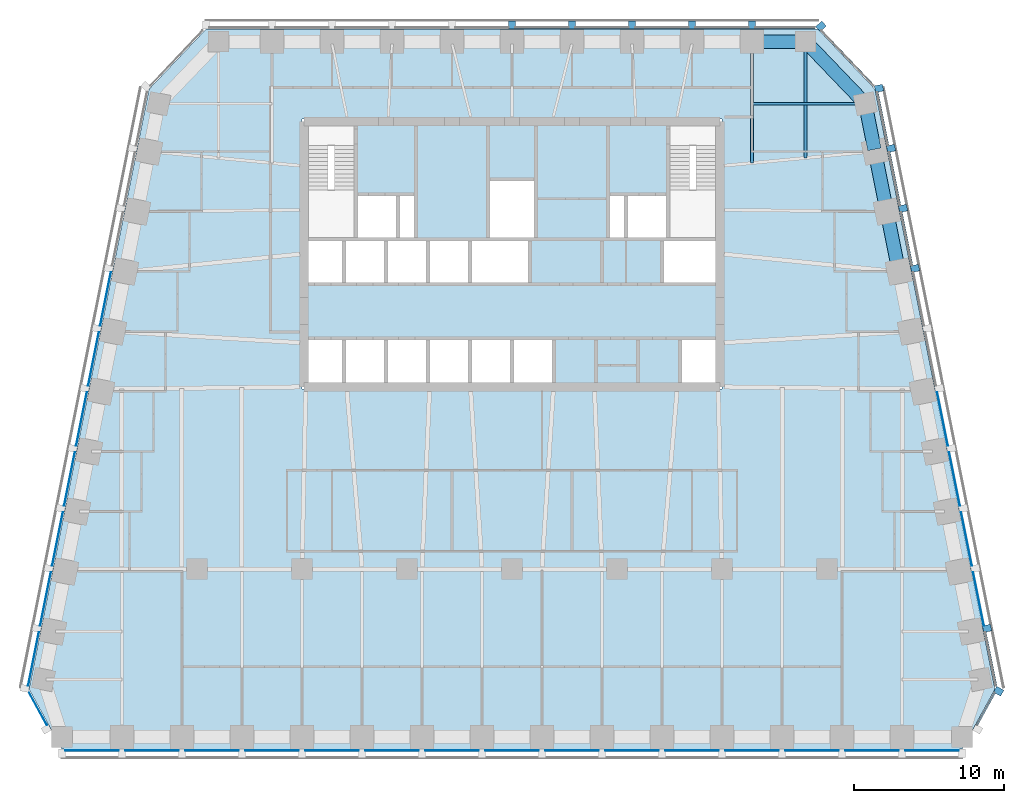
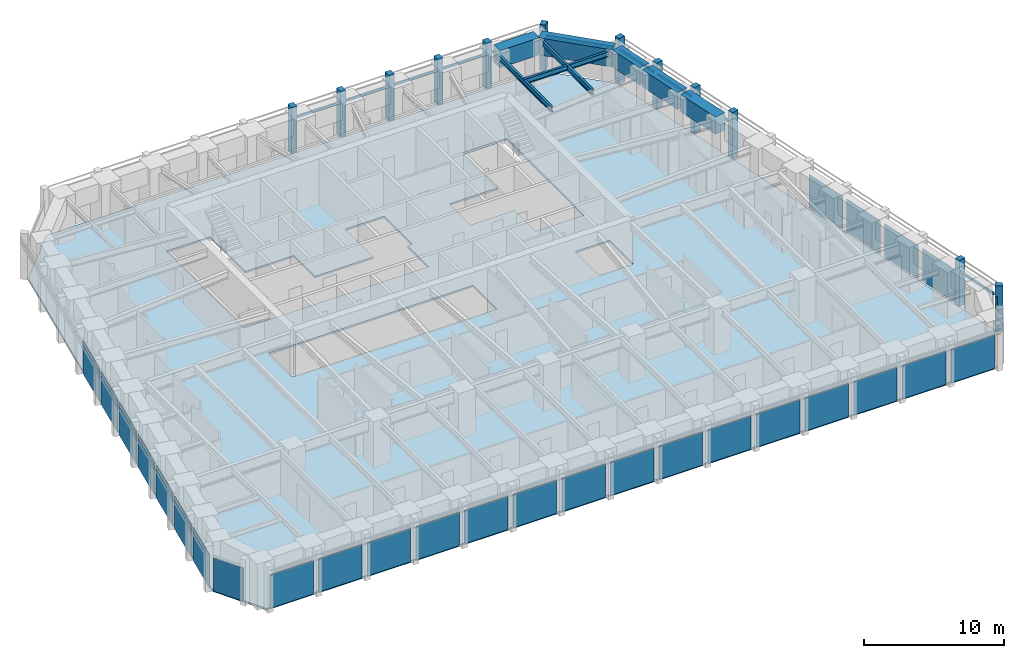
# One storey, part 4 of 11: 27 plates, 23 members, 8 beams, 1 slab, 7 elements without a shape of their own.
"""IFC4 building model written with IfcOpenShell, lengths in metres."""

from ifc_helpers import new_model, si_unit, direction, frame, origin, origin_2d, place, context, subcontext, project, spatial, polyline, rectangle, i_section, outline, extrude, material, layer, layer_set, material_profile, profile_set, type_object, element, aggregate, save


model = new_model("IFC4")

# Units and contexts
model_context = context("Model", 3, precision=1e-05, world=origin(), true_north=direction((0.0, 1.0)))
body_context = subcontext(model_context, "Body", "Model", "MODEL_VIEW")
ifc_project = project(units=[si_unit("LENGTHUNIT", "METRE"), si_unit("AREAUNIT", "SQUARE_METRE"), si_unit("VOLUMEUNIT", "CUBIC_METRE"), si_unit("PLANEANGLEUNIT", "RADIAN"), si_unit("MASSUNIT", "GRAM", prefix="KILO")], contexts=[model_context])

# Site, building, storey
site_placement = place(None, origin())
site = spatial("IfcSite", under=ifc_project, at=site_placement, CompositionType="ELEMENT")
building_placement = place(site_placement, origin())
building = spatial("IfcBuilding", under=site, at=building_placement, Name="Isbrekke Arena Tower", CompositionType="ELEMENT")
storey_placement = place(building_placement, frame((0.0, 0.0, 206.0)))
storey = spatial("IfcBuildingStorey", under=building, at=storey_placement, Name="L47", CompositionType="ELEMENT", Elevation=206.0)

# Beams
ifc_material_1 = material(Name="Steel S355", Category="steel")
ifc_material_profile_1 = material_profile(ifc_material_1, i_section(OverallWidth=0.18994140625, OverallDepth=0.449951171875, WebThickness=0.009521484375, FlangeThickness=0.0146484375, FilletRadius=0.02099609375, at=origin_2d()), Name="IPE 450")
ifc_profile_set_1 = profile_set([ifc_material_profile_1], Name="Steel S355")
beam_type_1 = type_object("IfcBeamType", Name="B2 IPE 450", PredefinedType="BEAM", material=ifc_profile_set_1)
beam_1_placement = place(storey_placement, frame((23.40283203125, 25.029296875, 3.625), z_axis=(-1.0, 0.0, 0.0), x_axis=(0.0, -1.0, 0.0)))
element("IfcBeam", 1, at=beam_1_placement, inside=storey, type_object=beam_type_1, Name="B2 beam E-E11 L47", PredefinedType="BEAM", context=body_context, shape_type="SweptSolid", body=[
    extrude(i_section(OverallWidth=0.18994140625, OverallDepth=0.449951171875, WebThickness=0.009521484375, FlangeThickness=0.0146484375, FilletRadius=0.02099609375, at=origin_2d()), origin(), (0.0, 0.0, 1.0), 7.40283203125),
])
ifc_material_2 = material(Name="Steel S355", Category="steel")
ifc_material_profile_2 = material_profile(ifc_material_2, i_section(OverallWidth=0.18994140625, OverallDepth=0.449951171875, WebThickness=0.009521484375, FlangeThickness=0.0146484375, FilletRadius=0.02099609375, at=origin_2d()), Name="IPE 450")
ifc_profile_set_2 = profile_set([ifc_material_profile_2], Name="Steel S355")
beam_type_2 = type_object("IfcBeamType", Name="B3 IPE 450", PredefinedType="BEAM", material=ifc_profile_set_2)
beam_2_placement = place(storey_placement, frame((19.574951171875, 29.02490234375, 3.625), z_axis=(0.0, -1.0, 0.0), x_axis=(1.0, 0.0, 0.0)))
element("IfcBeam", 2, at=beam_2_placement, inside=storey, type_object=beam_type_2, Name="B3 beam N-N01 L47", PredefinedType="BEAM", context=body_context, shape_type="SweptSolid", body=[
    extrude(i_section(OverallWidth=0.18994140625, OverallDepth=0.449951171875, WebThickness=0.009521484375, FlangeThickness=0.0146484375, FilletRadius=0.02099609375, at=origin_2d()), origin(), (0.0, 0.0, 1.0), 7.6103515625),
])
beam_3_placement = place(storey_placement, frame((16.0, 29.02490234375, 3.625), z_axis=(0.0, -1.0, 0.0), x_axis=(1.0, 0.0, 0.0)))
element("IfcBeam", 3, at=beam_3_placement, inside=storey, type_object=beam_type_2, Name="B3 beam N-N02 L47", PredefinedType="BEAM", context=body_context, shape_type="SweptSolid", body=[
    extrude(i_section(OverallWidth=0.18994140625, OverallDepth=0.449951171875, WebThickness=0.009521484375, FlangeThickness=0.0146484375, FilletRadius=0.02099609375, at=origin_2d()), origin(), (0.0, 0.0, 1.0), 7.949462890625),
])

# Curtain wall, member
ifc_material_3 = material(Name="Glazed aluminium curtain wall", Category="aluminium")
curtain_wall_type = type_object("IfcCurtainWallType", Name="CWH TOWER CURTAIN WALL HIGH ZONE", PredefinedType="USERDEFINED", material=ifc_material_3)
curtain_wall_1_placement = place(storey_placement, origin())
curtain_wall_1 = element("IfcCurtainWall", 4, at=curtain_wall_1_placement, inside=storey, type_object=curtain_wall_type, Name="CWH curtain wall L47-SE", ObjectType="TOWER CURTAIN WALL HIGH ZONE", PredefinedType="USERDEFINED")
ifc_material_4 = material(Name="Aluminium mullion, pale brick slip cladding", Category="masonry")
ifc_material_profile_3 = material_profile(ifc_material_4, rectangle(XDim=0.449951171875, YDim=0.550048828125, at=origin_2d()), Name="PIER 450X550")
ifc_profile_set_3 = profile_set([ifc_material_profile_3], Name="Aluminium mullion, pale brick slip cladding")
member_type_1 = type_object("IfcMemberType", Name="CWH-M PIER MULLION 450 x 550", PredefinedType="MULLION", material=ifc_profile_set_3)
member_1_placement = place(storey_placement, frame((32.44091796875, -14.132568359375, 0.0), z_axis=(0.0, 0.0, 1.0), x_axis=(0.481918749773, 0.876215908676, 0.0)))
member_1 = element("IfcMember", 5, at=member_1_placement, type_object=member_type_1, Name="CWH-M mullion 2", PredefinedType="MULLION", context=body_context, shape_type="SweptSolid", body=[
    extrude(rectangle(XDim=0.449951171875, YDim=0.550048828125, at=origin_2d()), origin(), (0.0, 0.0, 1.0), 4.0),
])

# Curtain wall, members
curtain_wall_2_placement = place(storey_placement, origin())
curtain_wall_2 = element("IfcCurtainWall", 6, at=curtain_wall_2_placement, inside=storey, type_object=curtain_wall_type, Name="CWH curtain wall L47-E", ObjectType="TOWER CURTAIN WALL HIGH ZONE", PredefinedType="USERDEFINED")
member_2_placement = place(storey_placement, frame((31.669677734375, -9.946044921875, 0.0), z_axis=(0.0, 0.0, 1.0), x_axis=(-0.196116135138, 0.980580675691, 0.0)))
member_2 = element("IfcMember", 7, at=member_2_placement, type_object=member_type_1, Name="CWH-M mullion 1", PredefinedType="MULLION", context=body_context, shape_type="SweptSolid", body=[
    extrude(rectangle(XDim=0.449951171875, YDim=0.550048828125, at=origin_2d()), origin(), (0.0, 0.0, 1.0), 4.0),
])
member_3_placement = place(storey_placement, frame((26.86962890625, 14.053955078125, 0.0), z_axis=(0.0, 0.0, 1.0), x_axis=(-0.196116135138, 0.980580675691, 0.0)))
member_3 = element("IfcMember", 8, at=member_3_placement, type_object=member_type_1, Name="CWH-M mullion 7", PredefinedType="MULLION", context=body_context, shape_type="SweptSolid", body=[
    extrude(rectangle(XDim=0.449951171875, YDim=0.550048828125, at=origin_2d()), origin(), (0.0, 0.0, 1.0), 4.0),
])
member_4_placement = place(storey_placement, frame((26.069580078125, 18.053955078125, 0.0), z_axis=(0.0, 0.0, 1.0), x_axis=(-0.196116135138, 0.980580675691, 0.0)))
member_4 = element("IfcMember", 9, at=member_4_placement, type_object=member_type_1, Name="CWH-M mullion 8", PredefinedType="MULLION", context=body_context, shape_type="SweptSolid", body=[
    extrude(rectangle(XDim=0.449951171875, YDim=0.550048828125, at=origin_2d()), origin(), (0.0, 0.0, 1.0), 4.0),
])
member_5_placement = place(storey_placement, frame((25.269775390625, 22.053955078125, 0.0), z_axis=(0.0, 0.0, 1.0), x_axis=(-0.196116135138, 0.980580675691, 0.0)))
member_5 = element("IfcMember", 10, at=member_5_placement, type_object=member_type_1, Name="CWH-M mullion 9", PredefinedType="MULLION", context=body_context, shape_type="SweptSolid", body=[
    extrude(rectangle(XDim=0.449951171875, YDim=0.550048828125, at=origin_2d()), origin(), (0.0, 0.0, 1.0), 4.0),
])
member_6_placement = place(storey_placement, frame((24.4697265625, 26.053955078125, 0.0), z_axis=(0.0, 0.0, 1.0), x_axis=(-0.196116135138, 0.980580675691, 0.0)))
member_6 = element("IfcMember", 11, at=member_6_placement, type_object=member_type_1, Name="CWH-M mullion 10", PredefinedType="MULLION", context=body_context, shape_type="SweptSolid", body=[
    extrude(rectangle(XDim=0.449951171875, YDim=0.550048828125, at=origin_2d()), origin(), (0.0, 0.0, 1.0), 4.0),
])

# Curtain wall, member
curtain_wall_3_placement = place(storey_placement, origin())
curtain_wall_3 = element("IfcCurtainWall", 12, at=curtain_wall_3_placement, inside=storey, type_object=curtain_wall_type, Name="CWH curtain wall L47-EN", ObjectType="TOWER CURTAIN WALL HIGH ZONE", PredefinedType="USERDEFINED")
member_7_placement = place(storey_placement, frame((20.599365234375, 30.189453125, 0.0), z_axis=(0.0, 0.0, 1.0), x_axis=(-0.68874946192, 0.72499943359, 0.0)))
member_7 = element("IfcMember", 13, at=member_7_placement, type_object=member_type_1, Name="CWH-M mullion 1", PredefinedType="MULLION", context=body_context, shape_type="SweptSolid", body=[
    extrude(rectangle(XDim=0.449951171875, YDim=0.550048828125, at=origin_2d()), origin(), (0.0, 0.0, 1.0), 4.0),
])

# Curtain wall, members
curtain_wall_4_placement = place(storey_placement, origin())
curtain_wall_4 = element("IfcCurtainWall", 14, at=curtain_wall_4_placement, inside=storey, type_object=curtain_wall_type, Name="CWH curtain wall L47-N", ObjectType="TOWER CURTAIN WALL HIGH ZONE", PredefinedType="USERDEFINED")
member_8_placement = place(storey_placement, frame((16.0, 30.27490234375, 0.0), z_axis=(0.0, 0.0, 1.0), x_axis=(-1.0, 0.0, 0.0)))
member_8 = element("IfcMember", 15, at=member_8_placement, type_object=member_type_1, Name="CWH-M mullion 1", PredefinedType="MULLION", context=body_context, shape_type="SweptSolid", body=[
    extrude(rectangle(XDim=0.449951171875, YDim=0.550048828125, at=origin_2d()), origin(), (0.0, 0.0, 1.0), 4.0),
])
member_9_placement = place(storey_placement, frame((12.0, 30.27490234375, 0.0), z_axis=(0.0, 0.0, 1.0), x_axis=(-1.0, 0.0, 0.0)))
member_9 = element("IfcMember", 16, at=member_9_placement, type_object=member_type_1, Name="CWH-M mullion 2", PredefinedType="MULLION", context=body_context, shape_type="SweptSolid", body=[
    extrude(rectangle(XDim=0.449951171875, YDim=0.550048828125, at=origin_2d()), origin(), (0.0, 0.0, 1.0), 4.0),
])
member_10_placement = place(storey_placement, frame((8.0, 30.27490234375, 0.0), z_axis=(0.0, 0.0, 1.0), x_axis=(-1.0, 0.0, 0.0)))
member_10 = element("IfcMember", 17, at=member_10_placement, type_object=member_type_1, Name="CWH-M mullion 3", PredefinedType="MULLION", context=body_context, shape_type="SweptSolid", body=[
    extrude(rectangle(XDim=0.449951171875, YDim=0.550048828125, at=origin_2d()), origin(), (0.0, 0.0, 1.0), 4.0),
])
member_11_placement = place(storey_placement, frame((4.0, 30.27490234375, 0.0), z_axis=(0.0, 0.0, 1.0), x_axis=(-1.0, 0.0, 0.0)))
member_11 = element("IfcMember", 18, at=member_11_placement, type_object=member_type_1, Name="CWH-M mullion 4", PredefinedType="MULLION", context=body_context, shape_type="SweptSolid", body=[
    extrude(rectangle(XDim=0.449951171875, YDim=0.550048828125, at=origin_2d()), origin(), (0.0, 0.0, 1.0), 4.0),
])
member_12_placement = place(storey_placement, frame((0.0, 30.27490234375, 0.0), z_axis=(0.0, 0.0, 1.0), x_axis=(-1.0, 0.0, 0.0)))
member_12 = element("IfcMember", 19, at=member_12_placement, type_object=member_type_1, Name="CWH-M mullion 5", PredefinedType="MULLION", context=body_context, shape_type="SweptSolid", body=[
    extrude(rectangle(XDim=0.449951171875, YDim=0.550048828125, at=origin_2d()), origin(), (0.0, 0.0, 1.0), 4.0),
])

# Member
ifc_material_5 = material(Name="Aluminium transom", Category="aluminium")
ifc_material_profile_4 = material_profile(ifc_material_5, rectangle(XDim=0.1201171875, YDim=0.199951171875, at=origin_2d()), Name="TRANSOM 120X200")
ifc_profile_set_4 = profile_set([ifc_material_profile_4], Name="Aluminium transom")
member_type_2 = type_object("IfcMemberType", Name="CWH-T TRANSOM 120 x 200", PredefinedType="USERDEFINED", material=ifc_profile_set_4)
member_13_placement = place(storey_placement, frame((31.002197265625, -16.38525390625, 3.0), z_axis=(0.481937937062, 0.876205355393, 0.0), x_axis=(-0.876205355393, 0.481937937062, 0.0)))
member_13 = element("IfcMember", 20, at=member_13_placement, type_object=member_type_2, Name="CWH-T transom 1", ObjectType="TRANSOM", PredefinedType="USERDEFINED", context=body_context, shape_type="SweptSolid", body=[
    extrude(rectangle(XDim=0.1201171875, YDim=0.199951171875, at=origin_2d()), origin(), (0.0, 0.0, 1.0), 2.442138671875),
])

aggregate(curtain_wall_1, [member_1, member_13])

member_14_placement = place(storey_placement, frame((32.25390625, -13.759765625, 3.0), z_axis=(-0.196090262229, 0.980585849918, 0.0), x_axis=(-0.980585849918, -0.196090262229, 0.0)))
member_14 = element("IfcMember", 21, at=member_14_placement, type_object=member_type_2, Name="CWH-T transom 1", ObjectType="TRANSOM", PredefinedType="USERDEFINED", context=body_context, shape_type="SweptSolid", body=[
    extrude(rectangle(XDim=0.1201171875, YDim=0.199951171875, at=origin_2d()), origin(), (0.0, 0.0, 1.0), 3.62939453125),
])

member_15_placement = place(storey_placement, frame((26.654052734375, 14.240234375, 3.0), z_axis=(-0.196154943734, 0.980572913173, 0.0), x_axis=(-0.980572913173, -0.196154943734, 0.0)))
member_15 = element("IfcMember", 22, at=member_15_placement, type_object=member_type_2, Name="CWH-T transom 8", ObjectType="TRANSOM", PredefinedType="USERDEFINED", context=body_context, shape_type="SweptSolid", body=[
    extrude(rectangle(XDim=0.1201171875, YDim=0.199951171875, at=origin_2d()), origin(), (0.0, 0.0, 1.0), 3.62939453125),
])

member_16_placement = place(storey_placement, frame((25.85400390625, 18.240234375, 3.0), z_axis=(-0.196154943734, 0.980572913173, 0.0), x_axis=(-0.980572913173, -0.196154943734, 0.0)))
member_16 = element("IfcMember", 23, at=member_16_placement, type_object=member_type_2, Name="CWH-T transom 9", ObjectType="TRANSOM", PredefinedType="USERDEFINED", context=body_context, shape_type="SweptSolid", body=[
    extrude(rectangle(XDim=0.1201171875, YDim=0.199951171875, at=origin_2d()), origin(), (0.0, 0.0, 1.0), 3.62939453125),
])

member_17_placement = place(storey_placement, frame((25.053955078125, 22.240234375, 3.0), z_axis=(-0.196090262229, 0.980585849918, 0.0), x_axis=(-0.980585849918, -0.196090262229, 0.0)))
member_17 = element("IfcMember", 24, at=member_17_placement, type_object=member_type_2, Name="CWH-T transom 10", ObjectType="TRANSOM", PredefinedType="USERDEFINED", context=body_context, shape_type="SweptSolid", body=[
    extrude(rectangle(XDim=0.1201171875, YDim=0.199951171875, at=origin_2d()), origin(), (0.0, 0.0, 1.0), 3.62939453125),
])

member_18_placement = place(storey_placement, frame((24.117431640625, 26.23193359375, 3.0), z_axis=(-0.688734266994, 0.725013868466, 0.0), x_axis=(-0.725013868466, -0.688734266994, 0.0)))
member_18 = element("IfcMember", 25, at=member_18_placement, type_object=member_type_2, Name="CWH-T transom 1", ObjectType="TRANSOM", PredefinedType="USERDEFINED", context=body_context, shape_type="SweptSolid", body=[
    extrude(rectangle(XDim=0.1201171875, YDim=0.199951171875, at=origin_2d()), origin(), (0.0, 0.0, 1.0), 5.067138671875),
])

aggregate(curtain_wall_3, [member_7, member_18])

member_19_placement = place(storey_placement, frame((20.175048828125, 30.10009765625, 3.0), z_axis=(-1.0, 0.0, 0.0), x_axis=(0.0, -1.0, 0.0)))
member_19 = element("IfcMember", 26, at=member_19_placement, type_object=member_type_2, Name="CWH-T transom 1", ObjectType="TRANSOM", PredefinedType="USERDEFINED", context=body_context, shape_type="SweptSolid", body=[
    extrude(rectangle(XDim=0.1201171875, YDim=0.199951171875, at=origin_2d()), origin(), (0.0, 0.0, 1.0), 3.949951171875),
])

member_20_placement = place(storey_placement, frame((15.77490234375, 30.10009765625, 3.0), z_axis=(-1.0, 0.0, 0.0), x_axis=(0.0, -1.0, 0.0)))
member_20 = element("IfcMember", 27, at=member_20_placement, type_object=member_type_2, Name="CWH-T transom 2", ObjectType="TRANSOM", PredefinedType="USERDEFINED", context=body_context, shape_type="SweptSolid", body=[
    extrude(rectangle(XDim=0.1201171875, YDim=0.199951171875, at=origin_2d()), origin(), (0.0, 0.0, 1.0), 3.5498046875),
])

member_21_placement = place(storey_placement, frame((11.77490234375, 30.10009765625, 3.0), z_axis=(-1.0, 0.0, 0.0), x_axis=(0.0, -1.0, 0.0)))
member_21 = element("IfcMember", 28, at=member_21_placement, type_object=member_type_2, Name="CWH-T transom 3", ObjectType="TRANSOM", PredefinedType="USERDEFINED", context=body_context, shape_type="SweptSolid", body=[
    extrude(rectangle(XDim=0.1201171875, YDim=0.199951171875, at=origin_2d()), origin(), (0.0, 0.0, 1.0), 3.5498046875),
])

member_22_placement = place(storey_placement, frame((7.77490234375, 30.10009765625, 3.0), z_axis=(-1.0, 0.0, 0.0), x_axis=(0.0, -1.0, 0.0)))
member_22 = element("IfcMember", 29, at=member_22_placement, type_object=member_type_2, Name="CWH-T transom 4", ObjectType="TRANSOM", PredefinedType="USERDEFINED", context=body_context, shape_type="SweptSolid", body=[
    extrude(rectangle(XDim=0.1201171875, YDim=0.199951171875, at=origin_2d()), origin(), (0.0, 0.0, 1.0), 3.5498046875),
])

member_23_placement = place(storey_placement, frame((3.77490234375, 30.10009765625, 3.0), z_axis=(-1.0, 0.0, 0.0), x_axis=(0.0, -1.0, 0.0)))
member_23 = element("IfcMember", 30, at=member_23_placement, type_object=member_type_2, Name="CWH-T transom 5", ObjectType="TRANSOM", PredefinedType="USERDEFINED", context=body_context, shape_type="SweptSolid", body=[
    extrude(rectangle(XDim=0.1201171875, YDim=0.199951171875, at=origin_2d()), origin(), (0.0, 0.0, 1.0), 3.5498046875),
])

aggregate(curtain_wall_4, [member_8, member_9, member_10, member_11, member_12, member_19, member_20, member_21, member_22, member_23])

# Beams
ifc_material_6 = material(Name="Concrete B65 (C65/80)", Category="concrete")
ifc_material_profile_5 = material_profile(ifc_material_6, rectangle(XDim=0.89990234375, YDim=1.5, at=origin_2d()), Name="RC 900x1500")
ifc_profile_set_5 = profile_set([ifc_material_profile_5], Name="Concrete B65 (C65/80)")
beam_type_3 = type_object("IfcBeamType", Name="SB3 RC 900 x 1500", PredefinedType="SPANDREL", material=ifc_profile_set_5)
for number, where, z_axis, x_axis, name in (
    (31, (25.76171875, 13.9853515625, 3.25), (-0.196128558387, 0.980578190959, 0.0), (-0.980578190959, -0.196128558387, 0.0), "SB3 spandrel E08-E09 L47"),
    (32, (24.961669921875, 17.9853515625, 3.25), (-0.196128558387, 0.980578190959, 0.0), (-0.980578190959, -0.196128558387, 0.0), "SB3 spandrel E09-E10 L47"),
):
    element("IfcBeam", number, at=place(storey_placement, frame(where, z_axis=z_axis, x_axis=x_axis)), inside=storey, type_object=beam_type_3, Name=name, PredefinedType="SPANDREL", context=body_context, shape_type="SweptSolid", body=[
        extrude(rectangle(XDim=0.89990234375, YDim=1.5, at=origin_2d()), origin(), (0.0, 0.0, 1.0), 3.779296875),
    ])
beam_4_placement = place(storey_placement, frame((24.16162109375, 21.9853515625, 3.25), z_axis=(-0.196116135138, 0.980580675691, 0.0), x_axis=(-0.980580675691, -0.196116135138, 0.0)))
element("IfcBeam", 33, at=beam_4_placement, inside=storey, type_object=beam_type_3, Name="SB3 spandrel E10-E11 L47", PredefinedType="SPANDREL", context=body_context, shape_type="SweptSolid", body=[
    extrude(rectangle(XDim=0.89990234375, YDim=1.5, at=origin_2d()), origin(), (0.0, 0.0, 1.0), 2.9541015625),
])
beam_5_placement = place(storey_placement, frame((23.448974609375, 25.137451171875, 3.25), z_axis=(-0.692339547635, 0.721571861134, 0.0), x_axis=(-0.721571861134, -0.692339547635, 0.0)))
element("IfcBeam", 34, at=beam_5_placement, inside=storey, type_object=beam_type_3, Name="SB3 spandrel E11-N01 L47", PredefinedType="SPANDREL", context=body_context, shape_type="SweptSolid", body=[
    extrude(rectangle(XDim=0.89990234375, YDim=1.5, at=origin_2d()), origin(), (0.0, 0.0, 1.0), 5.4453125),
])
beam_6_placement = place(storey_placement, frame((19.425048828125, 29.175048828125, 3.25), z_axis=(-1.0, 0.0, 0.0), x_axis=(0.0, -1.0, 0.0)))
element("IfcBeam", 35, at=beam_6_placement, inside=storey, type_object=beam_type_3, Name="SB3 spandrel N01-N02 L47", PredefinedType="SPANDREL", context=body_context, shape_type="SweptSolid", body=[
    extrude(rectangle(XDim=0.89990234375, YDim=1.5, at=origin_2d()), origin(), (0.0, 0.0, 1.0), 3.275146484375),
])

# Curtain wall, plates
curtain_wall_5_placement = place(storey_placement, origin())
curtain_wall_5 = element("IfcCurtainWall", 36, at=curtain_wall_5_placement, inside=storey, type_object=curtain_wall_type, Name="CWH curtain wall L47-S", ObjectType="TOWER CURTAIN WALL HIGH ZONE", PredefinedType="USERDEFINED")
ifc_material_7 = material(Name="Triple-glazed clear glass unit", Category="glass")
ifc_layer_1 = layer(ifc_material_7, 0.031982421875)
ifc_layer_set_1 = layer_set([ifc_layer_1], Name="CWH-P VISION PANEL")
plate_type = type_object("IfcPlateType", Name="CWH-P VISION PANEL", PredefinedType="CURTAIN_PANEL", material=ifc_layer_set_1)
plate_1_placement = place(storey_placement, frame((-28.0, -18.10009765625, 0.02001953125), z_axis=(0.0, 0.0, 1.0), x_axis=(1.0, 0.0, 0.0)))
plate_1 = element("IfcPlate", 37, at=plate_1_placement, type_object=plate_type, Name="CWH-P panel 1", PredefinedType="CURTAIN_PANEL", context=body_context, shape_type="SweptSolid", body=[
    extrude(rectangle(XDim=3.550048828125, YDim=0.031982421875, at=origin_2d()), origin(), (0.0, 0.0, 1.0), 2.8798828125),
])
plate_2_placement = place(storey_placement, frame((-24.0, -18.10009765625, 0.02001953125), z_axis=(0.0, 0.0, 1.0), x_axis=(1.0, 0.0, 0.0)))
plate_2 = element("IfcPlate", 38, at=plate_2_placement, type_object=plate_type, Name="CWH-P panel 2", PredefinedType="CURTAIN_PANEL", context=body_context, shape_type="SweptSolid", body=[
    extrude(rectangle(XDim=3.550048828125, YDim=0.031982421875, at=origin_2d()), origin(), (0.0, 0.0, 1.0), 2.8798828125),
])
plate_3_placement = place(storey_placement, frame((-20.0, -18.10009765625, 0.02001953125), z_axis=(0.0, 0.0, 1.0), x_axis=(1.0, 0.0, 0.0)))
plate_3 = element("IfcPlate", 39, at=plate_3_placement, type_object=plate_type, Name="CWH-P panel 3", PredefinedType="CURTAIN_PANEL", context=body_context, shape_type="SweptSolid", body=[
    extrude(rectangle(XDim=3.550048828125, YDim=0.031982421875, at=origin_2d()), origin(), (0.0, 0.0, 1.0), 2.8798828125),
])
plate_4_placement = place(storey_placement, frame((-16.0, -18.10009765625, 0.02001953125), z_axis=(0.0, 0.0, 1.0), x_axis=(1.0, 0.0, 0.0)))
plate_4 = element("IfcPlate", 40, at=plate_4_placement, type_object=plate_type, Name="CWH-P panel 4", PredefinedType="CURTAIN_PANEL", context=body_context, shape_type="SweptSolid", body=[
    extrude(rectangle(XDim=3.550048828125, YDim=0.031982421875, at=origin_2d()), origin(), (0.0, 0.0, 1.0), 2.8798828125),
])
plate_5_placement = place(storey_placement, frame((-12.0, -18.10009765625, 0.02001953125), z_axis=(0.0, 0.0, 1.0), x_axis=(1.0, 0.0, 0.0)))
plate_5 = element("IfcPlate", 41, at=plate_5_placement, type_object=plate_type, Name="CWH-P panel 5", PredefinedType="CURTAIN_PANEL", context=body_context, shape_type="SweptSolid", body=[
    extrude(rectangle(XDim=3.550048828125, YDim=0.031982421875, at=origin_2d()), origin(), (0.0, 0.0, 1.0), 2.8798828125),
])
plate_6_placement = place(storey_placement, frame((-8.0, -18.10009765625, 0.02001953125), z_axis=(0.0, 0.0, 1.0), x_axis=(1.0, 0.0, 0.0)))
plate_6 = element("IfcPlate", 42, at=plate_6_placement, type_object=plate_type, Name="CWH-P panel 6", PredefinedType="CURTAIN_PANEL", context=body_context, shape_type="SweptSolid", body=[
    extrude(rectangle(XDim=3.550048828125, YDim=0.031982421875, at=origin_2d()), origin(), (0.0, 0.0, 1.0), 2.8798828125),
])
plate_7_placement = place(storey_placement, frame((-4.0, -18.10009765625, 0.02001953125), z_axis=(0.0, 0.0, 1.0), x_axis=(1.0, 0.0, 0.0)))
plate_7 = element("IfcPlate", 43, at=plate_7_placement, type_object=plate_type, Name="CWH-P panel 7", PredefinedType="CURTAIN_PANEL", context=body_context, shape_type="SweptSolid", body=[
    extrude(rectangle(XDim=3.550048828125, YDim=0.031982421875, at=origin_2d()), origin(), (0.0, 0.0, 1.0), 2.8798828125),
])
plate_8_placement = place(storey_placement, frame((0.0, -18.10009765625, 0.02001953125), z_axis=(0.0, 0.0, 1.0), x_axis=(1.0, 0.0, 0.0)))
plate_8 = element("IfcPlate", 44, at=plate_8_placement, type_object=plate_type, Name="CWH-P panel 8", PredefinedType="CURTAIN_PANEL", context=body_context, shape_type="SweptSolid", body=[
    extrude(rectangle(XDim=3.550048828125, YDim=0.031982421875, at=origin_2d()), origin(), (0.0, 0.0, 1.0), 2.8798828125),
])
plate_9_placement = place(storey_placement, frame((4.0, -18.10009765625, 0.02001953125), z_axis=(0.0, 0.0, 1.0), x_axis=(1.0, 0.0, 0.0)))
plate_9 = element("IfcPlate", 45, at=plate_9_placement, type_object=plate_type, Name="CWH-P panel 9", PredefinedType="CURTAIN_PANEL", context=body_context, shape_type="SweptSolid", body=[
    extrude(rectangle(XDim=3.550048828125, YDim=0.031982421875, at=origin_2d()), origin(), (0.0, 0.0, 1.0), 2.8798828125),
])
plate_10_placement = place(storey_placement, frame((8.0, -18.10009765625, 0.02001953125), z_axis=(0.0, 0.0, 1.0), x_axis=(1.0, 0.0, 0.0)))
plate_10 = element("IfcPlate", 46, at=plate_10_placement, type_object=plate_type, Name="CWH-P panel 10", PredefinedType="CURTAIN_PANEL", context=body_context, shape_type="SweptSolid", body=[
    extrude(rectangle(XDim=3.550048828125, YDim=0.031982421875, at=origin_2d()), origin(), (0.0, 0.0, 1.0), 2.8798828125),
])
plate_11_placement = place(storey_placement, frame((12.0, -18.10009765625, 0.02001953125), z_axis=(0.0, 0.0, 1.0), x_axis=(1.0, 0.0, 0.0)))
plate_11 = element("IfcPlate", 47, at=plate_11_placement, type_object=plate_type, Name="CWH-P panel 11", PredefinedType="CURTAIN_PANEL", context=body_context, shape_type="SweptSolid", body=[
    extrude(rectangle(XDim=3.550048828125, YDim=0.031982421875, at=origin_2d()), origin(), (0.0, 0.0, 1.0), 2.8798828125),
])
plate_12_placement = place(storey_placement, frame((16.0, -18.10009765625, 0.02001953125), z_axis=(0.0, 0.0, 1.0), x_axis=(1.0, 0.0, 0.0)))
plate_12 = element("IfcPlate", 48, at=plate_12_placement, type_object=plate_type, Name="CWH-P panel 12", PredefinedType="CURTAIN_PANEL", context=body_context, shape_type="SweptSolid", body=[
    extrude(rectangle(XDim=3.550048828125, YDim=0.031982421875, at=origin_2d()), origin(), (0.0, 0.0, 1.0), 2.8798828125),
])
plate_13_placement = place(storey_placement, frame((20.0, -18.10009765625, 0.02001953125), z_axis=(0.0, 0.0, 1.0), x_axis=(1.0, 0.0, 0.0)))
plate_13 = element("IfcPlate", 49, at=plate_13_placement, type_object=plate_type, Name="CWH-P panel 13", PredefinedType="CURTAIN_PANEL", context=body_context, shape_type="SweptSolid", body=[
    extrude(rectangle(XDim=3.550048828125, YDim=0.031982421875, at=origin_2d()), origin(), (0.0, 0.0, 1.0), 2.8798828125),
])
plate_14_placement = place(storey_placement, frame((24.0, -18.10009765625, 0.02001953125), z_axis=(0.0, 0.0, 1.0), x_axis=(1.0, 0.0, 0.0)))
plate_14 = element("IfcPlate", 50, at=plate_14_placement, type_object=plate_type, Name="CWH-P panel 14", PredefinedType="CURTAIN_PANEL", context=body_context, shape_type="SweptSolid", body=[
    extrude(rectangle(XDim=3.550048828125, YDim=0.031982421875, at=origin_2d()), origin(), (0.0, 0.0, 1.0), 2.8798828125),
])
plate_15_placement = place(storey_placement, frame((28.0, -18.10009765625, 0.02001953125), z_axis=(0.0, 0.0, 1.0), x_axis=(1.0, 0.0, 0.0)))
plate_15 = element("IfcPlate", 51, at=plate_15_placement, type_object=plate_type, Name="CWH-P panel 15", PredefinedType="CURTAIN_PANEL", context=body_context, shape_type="SweptSolid", body=[
    extrude(rectangle(XDim=3.550048828125, YDim=0.031982421875, at=origin_2d()), origin(), (0.0, 0.0, 1.0), 2.8798828125),
])
aggregate(curtain_wall_5, [plate_1, plate_2, plate_3, plate_4, plate_5, plate_6, plate_7, plate_8, plate_9, plate_10, plate_11, plate_12, plate_13, plate_14, plate_15])

# Plate
plate_16_placement = place(storey_placement, frame((31.09814453125, -7.98046875, 0.02001953125), z_axis=(0.0, 0.0, 1.0), x_axis=(-0.196116135138, 0.980580675691, 0.0)))
plate_16 = element("IfcPlate", 52, at=plate_16_placement, type_object=plate_type, Name="CWH-P panel 2", PredefinedType="CURTAIN_PANEL", context=body_context, shape_type="SweptSolid", body=[
    extrude(rectangle(XDim=3.629150390625, YDim=0.031982421875, at=origin_2d()), origin(), (0.0, 0.0, 1.0), 2.8798828125),
])

plate_17_placement = place(storey_placement, frame((30.298095703125, -3.98046875, 0.02001953125), z_axis=(0.0, 0.0, 1.0), x_axis=(-0.196116135138, 0.980580675691, 0.0)))
plate_17 = element("IfcPlate", 53, at=plate_17_placement, type_object=plate_type, Name="CWH-P panel 3", PredefinedType="CURTAIN_PANEL", context=body_context, shape_type="SweptSolid", body=[
    extrude(rectangle(XDim=3.629150390625, YDim=0.031982421875, at=origin_2d()), origin(), (0.0, 0.0, 1.0), 2.8798828125),
])

plate_18_placement = place(storey_placement, frame((29.498046875, 0.01953125, 0.02001953125), z_axis=(0.0, 0.0, 1.0), x_axis=(-0.196116135138, 0.980580675691, 0.0)))
plate_18 = element("IfcPlate", 54, at=plate_18_placement, type_object=plate_type, Name="CWH-P panel 4", PredefinedType="CURTAIN_PANEL", context=body_context, shape_type="SweptSolid", body=[
    extrude(rectangle(XDim=3.629150390625, YDim=0.031982421875, at=origin_2d()), origin(), (0.0, 0.0, 1.0), 2.8798828125),
])

plate_19_placement = place(storey_placement, frame((28.697998046875, 4.01953125, 0.02001953125), z_axis=(0.0, 0.0, 1.0), x_axis=(-0.196116135138, 0.980580675691, 0.0)))
plate_19 = element("IfcPlate", 55, at=plate_19_placement, type_object=plate_type, Name="CWH-P panel 5", PredefinedType="CURTAIN_PANEL", context=body_context, shape_type="SweptSolid", body=[
    extrude(rectangle(XDim=3.629150390625, YDim=0.031982421875, at=origin_2d()), origin(), (0.0, 0.0, 1.0), 2.8798828125),
])

aggregate(curtain_wall_2, [member_2, member_3, member_4, member_5, member_6, member_14, plate_16, plate_17, plate_18, plate_19, member_15, member_16, member_17])

# Curtain wall, plates
curtain_wall_6_placement = place(storey_placement, origin())
curtain_wall_6 = element("IfcCurtainWall", 56, at=curtain_wall_6_placement, inside=storey, type_object=curtain_wall_type, Name="CWH curtain wall L47-W", ObjectType="TOWER CURTAIN WALL HIGH ZONE", PredefinedType="USERDEFINED")
plate_20_placement = place(storey_placement, frame((-27.09814453125, 12.01953125, 0.02001953125), z_axis=(0.0, 0.0, 1.0), x_axis=(-0.196116135138, -0.980580675691, 0.0)))
plate_20 = element("IfcPlate", 57, at=plate_20_placement, type_object=plate_type, Name="CWH-P panel 4", PredefinedType="CURTAIN_PANEL", context=body_context, shape_type="SweptSolid", body=[
    extrude(rectangle(XDim=3.629150390625, YDim=0.031982421875, at=origin_2d()), origin(), (0.0, 0.0, 1.0), 2.8798828125),
])
plate_21_placement = place(storey_placement, frame((-27.89794921875, 8.01953125, 0.02001953125), z_axis=(0.0, 0.0, 1.0), x_axis=(-0.196116135138, -0.980580675691, 0.0)))
plate_21 = element("IfcPlate", 58, at=plate_21_placement, type_object=plate_type, Name="CWH-P panel 5", PredefinedType="CURTAIN_PANEL", context=body_context, shape_type="SweptSolid", body=[
    extrude(rectangle(XDim=3.629150390625, YDim=0.031982421875, at=origin_2d()), origin(), (0.0, 0.0, 1.0), 2.8798828125),
])
plate_22_placement = place(storey_placement, frame((-28.697998046875, 4.01953125, 0.02001953125), z_axis=(0.0, 0.0, 1.0), x_axis=(-0.196116135138, -0.980580675691, 0.0)))
plate_22 = element("IfcPlate", 59, at=plate_22_placement, type_object=plate_type, Name="CWH-P panel 6", PredefinedType="CURTAIN_PANEL", context=body_context, shape_type="SweptSolid", body=[
    extrude(rectangle(XDim=3.629150390625, YDim=0.031982421875, at=origin_2d()), origin(), (0.0, 0.0, 1.0), 2.8798828125),
])
plate_23_placement = place(storey_placement, frame((-29.498046875, 0.01953125, 0.02001953125), z_axis=(0.0, 0.0, 1.0), x_axis=(-0.196116135138, -0.980580675691, 0.0)))
plate_23 = element("IfcPlate", 60, at=plate_23_placement, type_object=plate_type, Name="CWH-P panel 7", PredefinedType="CURTAIN_PANEL", context=body_context, shape_type="SweptSolid", body=[
    extrude(rectangle(XDim=3.629150390625, YDim=0.031982421875, at=origin_2d()), origin(), (0.0, 0.0, 1.0), 2.8798828125),
])
plate_24_placement = place(storey_placement, frame((-30.298095703125, -3.98046875, 0.02001953125), z_axis=(0.0, 0.0, 1.0), x_axis=(-0.196116135138, -0.980580675691, 0.0)))
plate_24 = element("IfcPlate", 61, at=plate_24_placement, type_object=plate_type, Name="CWH-P panel 8", PredefinedType="CURTAIN_PANEL", context=body_context, shape_type="SweptSolid", body=[
    extrude(rectangle(XDim=3.629150390625, YDim=0.031982421875, at=origin_2d()), origin(), (0.0, 0.0, 1.0), 2.8798828125),
])
plate_25_placement = place(storey_placement, frame((-31.09814453125, -7.98046875, 0.02001953125), z_axis=(0.0, 0.0, 1.0), x_axis=(-0.196116135138, -0.980580675691, 0.0)))
plate_25 = element("IfcPlate", 62, at=plate_25_placement, type_object=plate_type, Name="CWH-P panel 9", PredefinedType="CURTAIN_PANEL", context=body_context, shape_type="SweptSolid", body=[
    extrude(rectangle(XDim=3.629150390625, YDim=0.031982421875, at=origin_2d()), origin(), (0.0, 0.0, 1.0), 2.8798828125),
])
plate_26_placement = place(storey_placement, frame((-31.89794921875, -11.98046875, 0.02001953125), z_axis=(0.0, 0.0, 1.0), x_axis=(-0.196116135138, -0.980580675691, 0.0)))
plate_26 = element("IfcPlate", 63, at=plate_26_placement, type_object=plate_type, Name="CWH-P panel 10", PredefinedType="CURTAIN_PANEL", context=body_context, shape_type="SweptSolid", body=[
    extrude(rectangle(XDim=3.629150390625, YDim=0.031982421875, at=origin_2d()), origin(), (0.0, 0.0, 1.0), 2.8798828125),
])
aggregate(curtain_wall_6, [plate_20, plate_21, plate_22, plate_23, plate_24, plate_25, plate_26])

# Curtain wall, plate
curtain_wall_7_placement = place(storey_placement, origin())
curtain_wall_7 = element("IfcCurtainWall", 64, at=curtain_wall_7_placement, inside=storey, type_object=curtain_wall_type, Name="CWH curtain wall L47-WS", ObjectType="TOWER CURTAIN WALL HIGH ZONE", PredefinedType="USERDEFINED")
plate_27_placement = place(storey_placement, frame((-31.59033203125, -15.31591796875, 0.02001953125), z_axis=(0.0, 0.0, 1.0), x_axis=(0.481918749773, -0.876215908676, 0.0)))
plate_27 = element("IfcPlate", 65, at=plate_27_placement, type_object=plate_type, Name="CWH-P panel 1", PredefinedType="CURTAIN_PANEL", context=body_context, shape_type="SweptSolid", body=[
    extrude(rectangle(XDim=2.443603515625, YDim=0.031982421875, at=origin_2d()), origin(), (0.0, 0.0, 1.0), 2.8798828125),
])
aggregate(curtain_wall_7, [plate_27])

# Slab
ifc_material_8 = material(Name="Concrete B35 (C35/45)", Category="concrete")
ifc_layer_2 = layer(ifc_material_8, 0.14990234375)
ifc_layer_set_2 = layer_set([ifc_layer_2], Name="FS1 COMPOSITE FLOOR 150")
slab_type = type_object("IfcSlabType", Name="FS1 COMPOSITE FLOOR 150", PredefinedType="FLOOR", material=ifc_layer_set_2)
slab_placement = place(storey_placement, frame((0.0, 0.0, -0.14990234375)))
element("IfcSlab", 66, at=slab_placement, inside=storey, type_object=slab_type, Name="FS1 floor slab L47", PredefinedType="FLOOR", context=body_context, shape_type="SweptSolid", body=[
    extrude(outline(polyline([(-30.0, -18.0), (30.0, -18.0), (32.199951171875, -14.0), (24.199951171875, 26.0), (20.39990234375, 30.0), (-20.39990234375, 30.0), (-24.199951171875, 26.0), (-32.199951171875, -14.0), (-30.0, -18.0)]), holes=[polyline([(2.800048828125, 9.39990234375), (2.800048828125, 6.0), (-14.0, 6.0), (-14.0, 9.39990234375), (2.800048828125, 9.39990234375)]), polyline([(11.199951171875, 6.0), (11.199951171875, 9.39990234375), (14.0, 9.39990234375), (14.0, 6.0), (11.199951171875, 6.0)]), polyline([(-14.0, 13.0), (-14.0, 24.0), (-10.39990234375, 24.0), (-10.39990234375, 19.0), (-6.39990234375, 19.0), (-6.39990234375, 16.0), (-1.60009765625, 16.0), (-1.60009765625, 20.0), (1.60009765625, 20.0), (1.60009765625, 16.0), (1.199951171875, 16.0), (1.199951171875, 13.0), (-14.0, 13.0)]), polyline([(10.0, 13.0), (10.0, 16.0), (6.39990234375, 16.0), (6.39990234375, 19.0), (10.39990234375, 19.0), (10.39990234375, 24.0), (14.0, 24.0), (14.0, 13.0), (10.0, 13.0)])]), origin(), (0.0, 0.0, 1.0), 0.14990234375),
])

save(model, "model.ifc")
